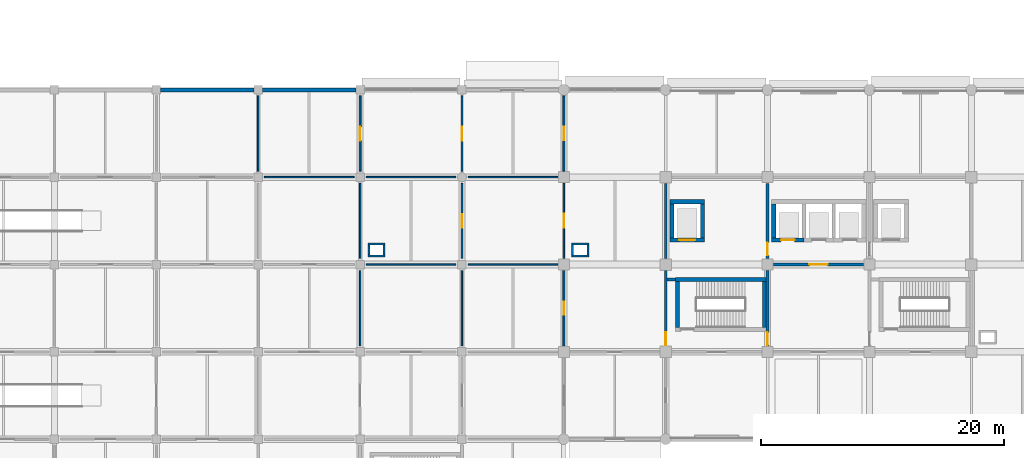
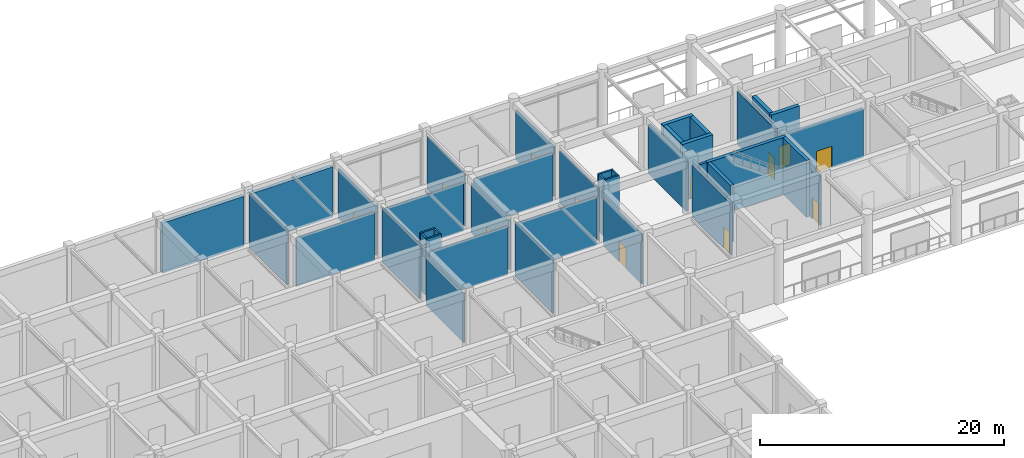
# One storey, part 20 of 39: 40 walls, 12 doors, 12 openings.
"""IFC4 building model written with IfcOpenShell, lengths in metres."""

from ifc_helpers import new_model, si_unit, derived_unit, direction, frame, frame_2d, origin, place, context, subcontext, project, spatial, rectangle, extrude, material, layer, layer_set, type_object, element, fill, save


model = new_model("IFC4")

# Units and contexts
model_context = context("Model", 3, precision=1e-05, world=origin(), true_north=direction((0.0, 1.0)))
body_context = subcontext(model_context, "Body", "Model", "MODEL_VIEW")
ifc_project = project(units=[si_unit("LENGTHUNIT", "METRE"), si_unit("AREAUNIT", "SQUARE_METRE"), si_unit("VOLUMEUNIT", "CUBIC_METRE"), si_unit("PLANEANGLEUNIT", "RADIAN"), si_unit("MASSUNIT", "GRAM", prefix="KILO"), derived_unit("THERMALTRANSMITTANCEUNIT", [(si_unit("MASSUNIT", "GRAM", prefix="KILO"), 1), (si_unit("TIMEUNIT", "SECOND"), -3), (si_unit("THERMODYNAMICTEMPERATUREUNIT", "KELVIN"), -1)])], contexts=[model_context])

# Site, building, storey
site_placement = place(None, origin())
site = spatial("IfcSite", under=ifc_project, at=site_placement, CompositionType="ELEMENT")
building_placement = place(site_placement, origin())
building = spatial("IfcBuilding", under=site, at=building_placement, Name="Veldstrom Oceanarium and Marine Research Institute", CompositionType="ELEMENT")
storey_placement = place(building_placement, origin())
storey = spatial("IfcBuildingStorey", under=building, at=storey_placement, Name="L00", CompositionType="ELEMENT", Elevation=0.0)

# Walls
ifc_material_1 = material(Name="Masonry Cavity Wall", Category="masonry")
ifc_layer_1 = layer(ifc_material_1, 0.340087890625)
ifc_layer_set_1 = layer_set([ifc_layer_1], Name="ARC-WAL-EW4")
wall_type_1 = type_object("IfcWallType", Name="ARC-WAL-EW4", PredefinedType="SOLIDWALL", material=ifc_layer_set_1)
for number, where, z_axis, x_axis, name in (
    (1, (33.949951171875, 72.0, 0.0), (0.0, 0.0, 1.0), (1.0, 0.0, 0.0), "Exterior Facade Wall EW4 L00-020"),
    (2, (42.35009765625, 72.0, 0.0), (0.0, 0.0, 1.0), (1.0, 0.0, 0.0), "Exterior Facade Wall EW4 L00-022"),
):
    element("IfcWall", number, at=place(storey_placement, frame(where, z_axis=z_axis, x_axis=x_axis)), inside=storey, type_object=wall_type_1, Name=name, PredefinedType="SOLIDWALL", context=body_context, shape_type="SweptSolid", body=[
        extrude(rectangle(XDim=7.699951171875, YDim=0.340087890625, at=frame_2d((3.85009765625, 0.0))), origin(), (0.0, 0.0, 1.0), 5.02001953125),
    ])

# Wall, opening, door
ifc_material_2 = material(Name="Masonry Fire Compartment Wall", Category="masonry")
ifc_layer_2 = layer(ifc_material_2, 0.22998046875)
ifc_layer_set_2 = layer_set([ifc_layer_2], Name="ARC-WAL-PT1")
wall_type_2 = type_object("IfcWallType", Name="ARC-WAL-PT1", PredefinedType="PARTITIONING", material=ifc_layer_set_2)
wall_1_placement = place(storey_placement, frame((75.60009765625, 50.89990234375, 0.0), z_axis=(0.0, 0.0, 1.0), x_axis=(0.0, 1.0, 0.0)))
wall_1 = element("IfcWall", 3, at=wall_1_placement, inside=storey, type_object=wall_type_2, Name="Interior Partition PT1 L00-0700", PredefinedType="PARTITIONING", context=body_context, shape_type="SweptSolid", body=[
    extrude(rectangle(XDim=6.2001953125, YDim=0.22998046875, at=frame_2d((3.10009765625, 0.0))), origin(), (0.0, 0.0, 1.0), 5.169921875),
])
opening_1_placement = place(wall_1_placement, frame((0.050048828125, 0.0, 0.0)))
opening_1 = element("IfcOpeningElement", 4, at=opening_1_placement, cuts=wall_1, Name="Opening D-L00-407", PredefinedType="OPENING", context=body_context, shape_type="SweptSolid", body=[
    extrude(rectangle(XDim=1.050048828125, YDim=2.14990234375, at=frame_2d((0.52490234375, 1.074951171875))), frame((0.0, 0.125, 0.0), z_axis=(0.0, -1.0, 0.0), x_axis=(1.0, 0.0, 0.0)), (0.0, 0.0, 1.0), 0.25),
])
ifc_material_3 = material(Name="Painted Steel Fire Door", Category="steel")
door_type_1 = type_object("IfcDoorType", Name="ARC-DOR-SD1", OperationType="SINGLE_SWING_LEFT", PredefinedType="DOOR", material=ifc_material_3)
door_1_placement = place(opening_1_placement, origin())
door_1 = element("IfcDoor", 5, at=door_1_placement, inside=storey, type_object=door_type_1, Name="Interior Door D-L00-407", OperationType="SINGLE_SWING_LEFT", OverallHeight=2.14990234375, OverallWidth=1.050048828125, PredefinedType="DOOR", context=body_context, shape_type="SweptSolid", body=[
    extrude(rectangle(XDim=1.050048828125, YDim=2.14990234375, at=frame_2d((0.52490234375, 1.074951171875))), frame((0.0, 0.02490234375, 0.0), z_axis=(0.0, -1.0, 0.0), x_axis=(1.0, 0.0, 0.0)), (0.0, 0.0, 1.0), 0.050048828125),
])
fill(opening_1, door_1)

# Wall
wall_2_placement = place(storey_placement, frame((75.60009765625, 58.10009765625, 0.0), z_axis=(0.0, 0.0, 1.0), x_axis=(0.0, 1.0, 0.0)))
element("IfcWall", 6, at=wall_2_placement, inside=storey, type_object=wall_type_2, Name="Interior Partition PT1 L00-0701", PredefinedType="PARTITIONING", context=body_context, shape_type="SweptSolid", body=[
    extrude(rectangle(XDim=6.199951171875, YDim=0.22998046875, at=frame_2d((3.10009765625, 0.0))), origin(), (0.0, 0.0, 1.0), 4.919921875),
])

# Wall, opening, door
wall_3_placement = place(storey_placement, frame((84.0, 50.89990234375, 0.0), z_axis=(0.0, 0.0, 1.0), x_axis=(0.0, 1.0, 0.0)))
wall_3 = element("IfcWall", 7, at=wall_3_placement, inside=storey, type_object=wall_type_2, Name="Interior Partition PT1 L00-0703", PredefinedType="PARTITIONING", context=body_context, shape_type="SweptSolid", body=[
    extrude(rectangle(XDim=6.2001953125, YDim=0.22998046875, at=frame_2d((3.10009765625, 0.0))), origin(), (0.0, 0.0, 1.0), 4.919921875),
])
opening_2_placement = place(wall_3_placement, frame((0.050048828125, 0.0, 0.0)))
opening_2 = element("IfcOpeningElement", 8, at=opening_2_placement, cuts=wall_3, Name="Opening D-L00-409", PredefinedType="OPENING", context=body_context, shape_type="SweptSolid", body=[
    extrude(rectangle(XDim=1.050048828125, YDim=2.14990234375, at=frame_2d((0.52490234375, 1.074951171875))), frame((0.0, 0.125, 0.0), z_axis=(0.0, -1.0, 0.0), x_axis=(1.0, 0.0, 0.0)), (0.0, 0.0, 1.0), 0.25),
])
door_2_placement = place(opening_2_placement, frame((1.050048828125, 0.0, 0.0), z_axis=(0.0, 0.0, 1.0), x_axis=(-1.0, 0.0, 0.0)))
door_2 = element("IfcDoor", 9, at=door_2_placement, inside=storey, type_object=door_type_1, Name="Interior Door D-L00-409", OperationType="SINGLE_SWING_RIGHT", OverallHeight=2.14990234375, OverallWidth=1.050048828125, PredefinedType="DOOR", context=body_context, shape_type="SweptSolid", body=[
    extrude(rectangle(XDim=1.050048828125, YDim=2.14990234375, at=frame_2d((0.52490234375, 1.074951171875))), frame((0.0, 0.02490234375, 0.0), z_axis=(0.0, -1.0, 0.0), x_axis=(1.0, 0.0, 0.0)), (0.0, 0.0, 1.0), 0.050048828125),
])
fill(opening_2, door_2)

# Wall
wall_4_placement = place(storey_placement, frame((75.719970703125, 56.360107421875, 0.0), z_axis=(0.0, 0.0, 1.0), x_axis=(1.0, 0.0, 0.0)))
element("IfcWall", 10, at=wall_4_placement, inside=storey, type_object=wall_type_2, Name="Interior Partition PT1 L00-0704", PredefinedType="PARTITIONING", context=body_context, shape_type="SweptSolid", body=[
    extrude(rectangle(XDim=0.679931640625, YDim=0.22998046875, at=frame_2d((0.33984375, 0.0))), origin(), (0.0, 0.0, 1.0), 5.675048828125),
])

# Wall, opening, door
wall_5_placement = place(storey_placement, frame((84.0, 58.10009765625, 0.0), z_axis=(0.0, 0.0, 1.0), x_axis=(0.0, 1.0, 0.0)))
wall_5 = element("IfcWall", 11, at=wall_5_placement, inside=storey, type_object=wall_type_2, Name="Interior Partition PT1 L00-0705", PredefinedType="PARTITIONING", context=body_context, shape_type="SweptSolid", body=[
    extrude(rectangle(XDim=6.199951171875, YDim=0.22998046875, at=frame_2d((3.10009765625, 0.0))), origin(), (0.0, 0.0, 1.0), 5.27001953125),
])
opening_3_placement = place(wall_5_placement, frame((0.25, 0.0, 0.0)))
opening_3 = element("IfcOpeningElement", 12, at=opening_3_placement, cuts=wall_5, Name="Opening D-L00-410", PredefinedType="OPENING", context=body_context, shape_type="SweptSolid", body=[
    extrude(rectangle(XDim=1.050048828125, YDim=2.14990234375, at=frame_2d((0.52490234375, 1.074951171875))), frame((0.0, 0.125, 0.0), z_axis=(0.0, -1.0, 0.0), x_axis=(1.0, 0.0, 0.0)), (0.0, 0.0, 1.0), 0.25),
])
door_3_placement = place(opening_3_placement, frame((1.050048828125, 0.0, 0.0), z_axis=(0.0, 0.0, 1.0), x_axis=(-1.0, 0.0, 0.0)))
door_3 = element("IfcDoor", 13, at=door_3_placement, inside=storey, type_object=door_type_1, Name="Interior Door D-L00-410", OperationType="SINGLE_SWING_RIGHT", OverallHeight=2.14990234375, OverallWidth=1.050048828125, PredefinedType="DOOR", context=body_context, shape_type="SweptSolid", body=[
    extrude(rectangle(XDim=1.050048828125, YDim=2.14990234375, at=frame_2d((0.52490234375, 1.074951171875))), frame((0.0, 0.02490234375, 0.0), z_axis=(0.0, -1.0, 0.0), x_axis=(1.0, 0.0, 0.0)), (0.0, 0.0, 1.0), 0.050048828125),
])
fill(opening_3, door_3)

wall_6_placement = place(storey_placement, frame((84.5, 57.60009765625, 0.0), z_axis=(0.0, 0.0, 1.0), x_axis=(1.0, 0.0, 0.0)))
wall_6 = element("IfcWall", 14, at=wall_6_placement, inside=storey, type_object=wall_type_2, Name="Interior Partition PT1 L00-0709", PredefinedType="PARTITIONING", context=body_context, shape_type="SweptSolid", body=[
    extrude(rectangle(XDim=7.39990234375, YDim=0.22998046875, at=frame_2d((3.699951171875, 0.0))), origin(), (0.0, 0.0, 1.0), 4.8701171875),
])
opening_4_placement = place(wall_6_placement, frame((2.949951171875, 0.0, 0.0)))
opening_4 = element("IfcOpeningElement", 15, at=opening_4_placement, cuts=wall_6, Name="Opening D-L00-413", PredefinedType="OPENING", context=body_context, shape_type="SweptSolid", body=[
    extrude(rectangle(XDim=1.5, YDim=2.14990234375, at=frame_2d((0.75, 1.074951171875))), frame((0.0, 0.125, 0.0), z_axis=(0.0, -1.0, 0.0), x_axis=(1.0, 0.0, 0.0)), (0.0, 0.0, 1.0), 0.25),
])
ifc_material_4 = material(Name="Painted Steel Lobby Fire Door", Category="steel")
door_type_2 = type_object("IfcDoorType", Name="ARC-DOR-SD2", OperationType="DOUBLE_DOOR_SINGLE_SWING", PredefinedType="DOOR", material=ifc_material_4)
door_4_placement = place(opening_4_placement, frame((1.5, 0.0, 0.0), z_axis=(0.0, 0.0, 1.0), x_axis=(-1.0, 0.0, 0.0)))
door_4 = element("IfcDoor", 16, at=door_4_placement, inside=storey, type_object=door_type_2, Name="Interior Door D-L00-413", OperationType="DOUBLE_DOOR_SINGLE_SWING", OverallHeight=2.14990234375, OverallWidth=1.5, PredefinedType="DOOR", context=body_context, shape_type="SweptSolid", body=[
    extrude(rectangle(XDim=1.5, YDim=2.14990234375, at=frame_2d((0.75, 1.074951171875))), frame((0.0, 0.02490234375, 0.0), z_axis=(0.0, -1.0, 0.0), x_axis=(1.0, 0.0, 0.0)), (0.0, 0.0, 1.0), 0.050048828125),
])
fill(opening_4, door_4)

ifc_material_5 = material(Name="Drywall Corridor Partition", Category="gypsum")
ifc_layer_3 = layer(ifc_material_5, 0.155029296875)
ifc_layer_set_3 = layer_set([ifc_layer_3], Name="ARC-WAL-PT4")
wall_type_3 = type_object("IfcWallType", Name="ARC-WAL-PT4", PredefinedType="PARTITIONING", material=ifc_layer_set_3)
wall_7_placement = place(storey_placement, frame((50.39990234375, 65.300048828125, 0.0), z_axis=(0.0, 0.0, 1.0), x_axis=(0.0, 1.0, 0.0)))
wall_7 = element("IfcWall", 17, at=wall_7_placement, inside=storey, type_object=wall_type_3, Name="Interior Partition PT4 L00-0665", PredefinedType="PARTITIONING", context=body_context, shape_type="SweptSolid", body=[
    extrude(rectangle(XDim=6.199951171875, YDim=0.155029296875, at=frame_2d((3.10009765625, 0.0))), origin(), (0.0, 0.0, 1.0), 4.919921875),
])
opening_5_placement = place(wall_7_placement, frame((2.52490234375, 0.0, 0.0)))
opening_5 = element("IfcOpeningElement", 18, at=opening_5_placement, cuts=wall_7, Name="Opening D-L00-385", PredefinedType="OPENING", context=body_context, shape_type="SweptSolid", body=[
    extrude(rectangle(XDim=1.14990234375, YDim=2.10009765625, at=frame_2d((0.574951171875, 1.050048828125))), frame((0.0, 0.08740234375, 0.0), z_axis=(0.0, -1.0, 0.0), x_axis=(1.0, 0.0, 0.0)), (0.0, 0.0, 1.0), 0.175048828125),
])
ifc_material_6 = material(Name="Fellows Studio Door", Category="timber")
door_type_3 = type_object("IfcDoorType", Name="ARC-DOR-ID17", OperationType="SINGLE_SWING_LEFT", PredefinedType="DOOR", material=ifc_material_6)
door_5_placement = place(opening_5_placement, frame((1.14990234375, 0.0, 0.0), z_axis=(0.0, 0.0, 1.0), x_axis=(-1.0, 0.0, 0.0)))
door_5 = element("IfcDoor", 19, at=door_5_placement, inside=storey, type_object=door_type_3, Name="Interior Door D-L00-385", OperationType="SINGLE_SWING_RIGHT", OverallHeight=2.10009765625, OverallWidth=1.14990234375, PredefinedType="DOOR", context=body_context, shape_type="SweptSolid", body=[
    extrude(rectangle(XDim=1.14990234375, YDim=2.10009765625, at=frame_2d((0.574951171875, 1.050048828125))), frame((0.0, 0.02490234375, 0.0), z_axis=(0.0, -1.0, 0.0), x_axis=(1.0, 0.0, 0.0)), (0.0, 0.0, 1.0), 0.050048828125),
])
fill(opening_5, door_5)

wall_8_placement = place(storey_placement, frame((58.800048828125, 58.10009765625, 0.0), z_axis=(0.0, 0.0, 1.0), x_axis=(0.0, 1.0, 0.0)))
wall_8 = element("IfcWall", 20, at=wall_8_placement, inside=storey, type_object=wall_type_3, Name="Interior Partition PT4 L00-0682", PredefinedType="PARTITIONING", context=body_context, shape_type="SweptSolid", body=[
    extrude(rectangle(XDim=6.199951171875, YDim=0.155029296875, at=frame_2d((3.10009765625, 0.0))), origin(), (0.0, 0.0, 1.0), 4.919921875),
])
opening_6_placement = place(wall_8_placement, frame((2.550048828125, 0.0, 0.0)))
opening_6 = element("IfcOpeningElement", 21, at=opening_6_placement, cuts=wall_8, Name="Opening D-L00-394", PredefinedType="OPENING", context=body_context, shape_type="SweptSolid", body=[
    extrude(rectangle(XDim=1.10009765625, YDim=2.10009765625, at=frame_2d((0.550048828125, 1.050048828125))), frame((0.0, 0.08740234375, 0.0), z_axis=(0.0, -1.0, 0.0), x_axis=(1.0, 0.0, 0.0)), (0.0, 0.0, 1.0), 0.175048828125),
])
ifc_material_7 = material(Name="Research Office Door", Category="timber")
door_type_4 = type_object("IfcDoorType", Name="ARC-DOR-ID07", OperationType="SINGLE_SWING_LEFT", PredefinedType="DOOR", material=ifc_material_7)
door_6_placement = place(opening_6_placement, frame((1.10009765625, 0.0, 0.0), z_axis=(0.0, 0.0, 1.0), x_axis=(-1.0, 0.0, 0.0)))
door_6 = element("IfcDoor", 22, at=door_6_placement, inside=storey, type_object=door_type_4, Name="Interior Door D-L00-394", OperationType="SINGLE_SWING_RIGHT", OverallHeight=2.10009765625, OverallWidth=1.10009765625, PredefinedType="DOOR", context=body_context, shape_type="SweptSolid", body=[
    extrude(rectangle(XDim=1.10009765625, YDim=2.10009765625, at=frame_2d((0.550048828125, 1.050048828125))), frame((0.0, 0.02490234375, 0.0), z_axis=(0.0, -1.0, 0.0), x_axis=(1.0, 0.0, 0.0)), (0.0, 0.0, 1.0), 0.050048828125),
])
fill(opening_6, door_6)

wall_9_placement = place(storey_placement, frame((67.199951171875, 50.89990234375, 0.0), z_axis=(0.0, 0.0, 1.0), x_axis=(0.0, 1.0, 0.0)))
wall_9 = element("IfcWall", 23, at=wall_9_placement, inside=storey, type_object=wall_type_3, Name="Interior Partition PT4 L00-0693", PredefinedType="PARTITIONING", context=body_context, shape_type="SweptSolid", body=[
    extrude(rectangle(XDim=6.2001953125, YDim=0.155029296875, at=frame_2d((3.10009765625, 0.0))), origin(), (0.0, 0.0, 1.0), 4.919921875),
])
opening_7_placement = place(wall_9_placement, frame((2.550048828125, 0.0, 0.0)))
opening_7 = element("IfcOpeningElement", 24, at=opening_7_placement, cuts=wall_9, Name="Opening D-L00-402", PredefinedType="OPENING", context=body_context, shape_type="SweptSolid", body=[
    extrude(rectangle(XDim=1.10009765625, YDim=2.10009765625, at=frame_2d((0.550048828125, 1.050048828125))), frame((0.0, 0.08740234375, 0.0), z_axis=(0.0, -1.0, 0.0), x_axis=(1.0, 0.0, 0.0)), (0.0, 0.0, 1.0), 0.175048828125),
])
door_7_placement = place(opening_7_placement, frame((1.10009765625, 0.0, 0.0), z_axis=(0.0, 0.0, 1.0), x_axis=(-1.0, 0.0, 0.0)))
door_7 = element("IfcDoor", 25, at=door_7_placement, inside=storey, type_object=door_type_4, Name="Interior Door D-L00-402", OperationType="SINGLE_SWING_RIGHT", OverallHeight=2.10009765625, OverallWidth=1.10009765625, PredefinedType="DOOR", context=body_context, shape_type="SweptSolid", body=[
    extrude(rectangle(XDim=1.10009765625, YDim=2.10009765625, at=frame_2d((0.550048828125, 1.050048828125))), frame((0.0, 0.02490234375, 0.0), z_axis=(0.0, -1.0, 0.0), x_axis=(1.0, 0.0, 0.0)), (0.0, 0.0, 1.0), 0.050048828125),
])
fill(opening_7, door_7)

wall_10_placement = place(storey_placement, frame((67.199951171875, 65.300048828125, 0.0), z_axis=(0.0, 0.0, 1.0), x_axis=(0.0, 1.0, 0.0)))
wall_10 = element("IfcWall", 26, at=wall_10_placement, inside=storey, type_object=wall_type_3, Name="Interior Partition PT4 L00-0697", PredefinedType="PARTITIONING", context=body_context, shape_type="SweptSolid", body=[
    extrude(rectangle(XDim=6.199951171875, YDim=0.155029296875, at=frame_2d((3.10009765625, 0.0))), origin(), (0.0, 0.0, 1.0), 4.919921875),
])
opening_8_placement = place(wall_10_placement, frame((2.550048828125, 0.0, 0.0)))
opening_8 = element("IfcOpeningElement", 27, at=opening_8_placement, cuts=wall_10, Name="Opening D-L00-404", PredefinedType="OPENING", context=body_context, shape_type="SweptSolid", body=[
    extrude(rectangle(XDim=1.10009765625, YDim=2.10009765625, at=frame_2d((0.550048828125, 1.050048828125))), frame((0.0, 0.08740234375, 0.0), z_axis=(0.0, -1.0, 0.0), x_axis=(1.0, 0.0, 0.0)), (0.0, 0.0, 1.0), 0.175048828125),
])
door_8_placement = place(opening_8_placement, origin())
door_8 = element("IfcDoor", 28, at=door_8_placement, inside=storey, type_object=door_type_4, Name="Interior Door D-L00-404", OperationType="SINGLE_SWING_LEFT", OverallHeight=2.10009765625, OverallWidth=1.10009765625, PredefinedType="DOOR", context=body_context, shape_type="SweptSolid", body=[
    extrude(rectangle(XDim=1.10009765625, YDim=2.10009765625, at=frame_2d((0.550048828125, 1.050048828125))), frame((0.0, 0.02490234375, 0.0), z_axis=(0.0, -1.0, 0.0), x_axis=(1.0, 0.0, 0.0)), (0.0, 0.0, 1.0), 0.050048828125),
])
fill(opening_8, door_8)

ifc_material_8 = material(Name="Moisture-Resistant Wet-Area Partition", Category="masonry")
ifc_layer_4 = layer(ifc_material_8, 0.139892578125)
ifc_layer_set_4 = layer_set([ifc_layer_4], Name="ARC-WAL-PT5")
wall_type_4 = type_object("IfcWallType", Name="ARC-WAL-PT5", PredefinedType="PARTITIONING", material=ifc_layer_set_4)
wall_11_placement = place(storey_placement, frame((58.800048828125, 65.300048828125, 0.0), z_axis=(0.0, 0.0, 1.0), x_axis=(0.0, 1.0, 0.0)))
wall_11 = element("IfcWall", 29, at=wall_11_placement, inside=storey, type_object=wall_type_4, Name="Interior Partition PT5 L00-0684", PredefinedType="PARTITIONING", context=body_context, shape_type="SweptSolid", body=[
    extrude(rectangle(XDim=6.199951171875, YDim=0.139892578125, at=frame_2d((3.10009765625, 0.0))), origin(), (0.0, 0.0, 1.0), 5.169921875),
])
opening_9_placement = place(wall_11_placement, frame((2.52490234375, 0.0, 0.0)))
opening_9 = element("IfcOpeningElement", 30, at=opening_9_placement, cuts=wall_11, Name="Opening D-L00-395", PredefinedType="OPENING", context=body_context, shape_type="SweptSolid", body=[
    extrude(rectangle(XDim=1.14990234375, YDim=2.10009765625, at=frame_2d((0.574951171875, 1.050048828125))), frame((0.0, 0.079833984375, 0.0), z_axis=(0.0, -1.0, 0.0), x_axis=(1.0, 0.0, 0.0)), (0.0, 0.0, 1.0), 0.159912109375),
])
door_9_placement = place(opening_9_placement, origin())
door_9 = element("IfcDoor", 31, at=door_9_placement, inside=storey, type_object=door_type_3, Name="Interior Door D-L00-395", OperationType="SINGLE_SWING_RIGHT", OverallHeight=2.10009765625, OverallWidth=1.14990234375, PredefinedType="DOOR", context=body_context, shape_type="SweptSolid", body=[
    extrude(rectangle(XDim=1.14990234375, YDim=2.10009765625, at=frame_2d((0.574951171875, 1.050048828125))), frame((0.0, 0.02490234375, 0.0), z_axis=(0.0, -1.0, 0.0), x_axis=(1.0, 0.0, 0.0)), (0.0, 0.0, 1.0), 0.050048828125),
])
fill(opening_9, door_9)

wall_12_placement = place(storey_placement, frame((67.199951171875, 58.10009765625, 0.0), z_axis=(0.0, 0.0, 1.0), x_axis=(0.0, 1.0, 0.0)))
wall_12 = element("IfcWall", 32, at=wall_12_placement, inside=storey, type_object=wall_type_4, Name="Interior Partition PT5 L00-0695", PredefinedType="PARTITIONING", context=body_context, shape_type="SweptSolid", body=[
    extrude(rectangle(XDim=6.199951171875, YDim=0.139892578125, at=frame_2d((3.10009765625, 0.0))), origin(), (0.0, 0.0, 1.0), 5.169921875),
])
opening_10_placement = place(wall_12_placement, frame((2.52490234375, 0.0, 0.0)))
opening_10 = element("IfcOpeningElement", 33, at=opening_10_placement, cuts=wall_12, Name="Opening D-L00-403", PredefinedType="OPENING", context=body_context, shape_type="SweptSolid", body=[
    extrude(rectangle(XDim=1.14990234375, YDim=2.10009765625, at=frame_2d((0.574951171875, 1.050048828125))), frame((0.0, 0.079833984375, 0.0), z_axis=(0.0, -1.0, 0.0), x_axis=(1.0, 0.0, 0.0)), (0.0, 0.0, 1.0), 0.159912109375),
])
door_10_placement = place(opening_10_placement, frame((1.14990234375, 0.0, 0.0), z_axis=(0.0, 0.0, 1.0), x_axis=(-1.0, 0.0, 0.0)))
door_10 = element("IfcDoor", 34, at=door_10_placement, inside=storey, type_object=door_type_3, Name="Interior Door D-L00-403", OperationType="SINGLE_SWING_LEFT", OverallHeight=2.10009765625, OverallWidth=1.14990234375, PredefinedType="DOOR", context=body_context, shape_type="SweptSolid", body=[
    extrude(rectangle(XDim=1.14990234375, YDim=2.10009765625, at=frame_2d((0.574951171875, 1.050048828125))), frame((0.0, 0.02490234375, 0.0), z_axis=(0.0, -1.0, 0.0), x_axis=(1.0, 0.0, 0.0)), (0.0, 0.0, 1.0), 0.050048828125),
])
fill(opening_10, door_10)

# Walls
ifc_material_9 = material(Name="Lightweight Studio Partition", Category="gypsum")
ifc_layer_5 = layer(ifc_material_9, 0.1201171875)
ifc_layer_set_5 = layer_set([ifc_layer_5], Name="ARC-WAL-PT6")
wall_type_5 = type_object("IfcWallType", Name="ARC-WAL-PT6", PredefinedType="PARTITIONING", material=ifc_layer_set_5)
wall_13_placement = place(storey_placement, frame((42.0, 65.300048828125, 0.0), z_axis=(0.0, 0.0, 1.0), x_axis=(0.0, 1.0, 0.0)))
element("IfcWall", 35, at=wall_13_placement, inside=storey, type_object=wall_type_5, Name="Interior Partition PT6 L00-0646", PredefinedType="PARTITIONING", context=body_context, shape_type="SweptSolid", body=[
    extrude(rectangle(XDim=6.199951171875, YDim=0.1201171875, at=frame_2d((3.10009765625, 0.0))), origin(), (0.0, 0.0, 1.0), 5.3798828125),
])
wall_14_placement = place(storey_placement, frame((50.39990234375, 50.89990234375, 0.0), z_axis=(0.0, 0.0, 1.0), x_axis=(0.0, 1.0, 0.0)))
element("IfcWall", 36, at=wall_14_placement, inside=storey, type_object=wall_type_5, Name="Interior Partition PT6 L00-0661", PredefinedType="PARTITIONING", context=body_context, shape_type="SweptSolid", body=[
    extrude(rectangle(XDim=6.2001953125, YDim=0.1201171875, at=frame_2d((3.10009765625, 0.0))), origin(), (0.0, 0.0, 1.0), 4.919921875),
])
wall_15_placement = place(storey_placement, frame((50.39990234375, 58.10009765625, 0.0), z_axis=(0.0, 0.0, 1.0), x_axis=(0.0, 1.0, 0.0)))
element("IfcWall", 37, at=wall_15_placement, inside=storey, type_object=wall_type_5, Name="Interior Partition PT6 L00-0663", PredefinedType="PARTITIONING", context=body_context, shape_type="SweptSolid", body=[
    extrude(rectangle(XDim=6.199951171875, YDim=0.1201171875, at=frame_2d((3.10009765625, 0.0))), origin(), (0.0, 0.0, 1.0), 5.3798828125),
])
wall_16_placement = place(storey_placement, frame((42.5, 64.800048828125, 0.0), z_axis=(0.0, 0.0, 1.0), x_axis=(1.0, 0.0, 0.0)))
element("IfcWall", 38, at=wall_16_placement, inside=storey, type_object=wall_type_5, Name="Interior Partition PT6 L00-0664", PredefinedType="PARTITIONING", context=body_context, shape_type="SweptSolid", body=[
    extrude(rectangle(XDim=7.39990234375, YDim=0.1201171875, at=frame_2d((3.699951171875, 0.0))), origin(), (0.0, 0.0, 1.0), 4.8701171875),
])
wall_17_placement = place(storey_placement, frame((58.800048828125, 50.89990234375, 0.0), z_axis=(0.0, 0.0, 1.0), x_axis=(0.0, 1.0, 0.0)))
element("IfcWall", 39, at=wall_17_placement, inside=storey, type_object=wall_type_5, Name="Interior Partition PT6 L00-0680", PredefinedType="PARTITIONING", context=body_context, shape_type="SweptSolid", body=[
    extrude(rectangle(XDim=6.2001953125, YDim=0.1201171875, at=frame_2d((3.10009765625, 0.0))), origin(), (0.0, 0.0, 1.0), 5.3798828125),
])
for number, where, z_axis, x_axis, name in (
    (40, (50.89990234375, 57.60009765625, 0.0), (0.0, 0.0, 1.0), (1.0, 0.0, 0.0), "Interior Partition PT6 L00-0681"),
    (41, (50.89990234375, 64.800048828125, 0.0), (0.0, 0.0, 1.0), (1.0, 0.0, 0.0), "Interior Partition PT6 L00-0683"),
):
    element("IfcWall", number, at=place(storey_placement, frame(where, z_axis=z_axis, x_axis=x_axis)), inside=storey, type_object=wall_type_5, Name=name, PredefinedType="PARTITIONING", context=body_context, shape_type="SweptSolid", body=[
        extrude(rectangle(XDim=7.400146484375, YDim=0.1201171875, at=frame_2d((3.7001953125, 0.0))), origin(), (0.0, 0.0, 1.0), 4.8701171875),
    ])
for number, where, z_axis, x_axis, name in (
    (42, (59.300048828125, 57.60009765625, 0.0), (0.0, 0.0, 1.0), (1.0, 0.0, 0.0), "Interior Partition PT6 L00-0694"),
    (43, (59.300048828125, 64.800048828125, 0.0), (0.0, 0.0, 1.0), (1.0, 0.0, 0.0), "Interior Partition PT6 L00-0696"),
):
    element("IfcWall", number, at=place(storey_placement, frame(where, z_axis=z_axis, x_axis=x_axis)), inside=storey, type_object=wall_type_5, Name=name, PredefinedType="PARTITIONING", context=body_context, shape_type="SweptSolid", body=[
        extrude(rectangle(XDim=7.39990234375, YDim=0.1201171875, at=frame_2d((3.699951171875, 0.0))), origin(), (0.0, 0.0, 1.0), 4.8701171875),
    ])
ifc_material_10 = material(Name="Service Riser Fire Shaft Wall", Category="masonry")
ifc_layer_6 = layer(ifc_material_10, 0.1650390625)
ifc_layer_set_6 = layer_set([ifc_layer_6], Name="ARC-WAL-PT9")
wall_type_6 = type_object("IfcWallType", Name="ARC-WAL-PT9", PredefinedType="PARTITIONING", material=ifc_layer_set_6)
for number, where, z_axis, x_axis, name in (
    (44, (51.034912109375, 58.3173828125, 0.0), (0.0, 0.0, 1.0), (1.0, 0.0, 0.0), "Service Riser Fire Shaft Wall L00-WN-S"),
    (45, (51.034912109375, 59.282470703125, 0.0), (0.0, 0.0, 1.0), (1.0, 0.0, 0.0), "Service Riser Fire Shaft Wall L00-WN-N"),
):
    element("IfcWall", number, at=place(storey_placement, frame(where, z_axis=z_axis, x_axis=x_axis)), inside=storey, type_object=wall_type_6, Name=name, PredefinedType="PARTITIONING", context=body_context, shape_type="SweptSolid", body=[
        extrude(rectangle(XDim=1.43017578125, YDim=0.1650390625, at=frame_2d((0.715087890625, 0.0))), origin(), (0.0, 0.0, 1.0), 5.675048828125),
    ])
for number, where, z_axis, x_axis, name in (
    (46, (51.117431640625, 58.39990234375, 0.0), (0.0, 0.0, 1.0), (0.0, 1.0, 0.0), "Service Riser Fire Shaft Wall L00-WN-W"),
    (47, (52.382568359375, 58.39990234375, 0.0), (0.0, 0.0, 1.0), (0.0, 1.0, 0.0), "Service Riser Fire Shaft Wall L00-WN-E"),
):
    element("IfcWall", number, at=place(storey_placement, frame(where, z_axis=z_axis, x_axis=x_axis)), inside=storey, type_object=wall_type_6, Name=name, PredefinedType="PARTITIONING", context=body_context, shape_type="SweptSolid", body=[
        extrude(rectangle(XDim=0.800048828125, YDim=0.1650390625, at=frame_2d((0.39990234375, 0.0))), origin(), (0.0, 0.0, 1.0), 5.675048828125),
    ])
for number, where, z_axis, x_axis, name in (
    (48, (67.8349609375, 58.3173828125, 0.0), (0.0, 0.0, 1.0), (1.0, 0.0, 0.0), "Service Riser Fire Shaft Wall L00-CW-S"),
    (49, (67.8349609375, 59.282470703125, 0.0), (0.0, 0.0, 1.0), (1.0, 0.0, 0.0), "Service Riser Fire Shaft Wall L00-CW-N"),
):
    element("IfcWall", number, at=place(storey_placement, frame(where, z_axis=z_axis, x_axis=x_axis)), inside=storey, type_object=wall_type_6, Name=name, PredefinedType="PARTITIONING", context=body_context, shape_type="SweptSolid", body=[
        extrude(rectangle(XDim=1.429931640625, YDim=0.1650390625, at=frame_2d((0.71484375, 0.0))), origin(), (0.0, 0.0, 1.0), 5.675048828125),
    ])
for number, where, z_axis, x_axis, name in (
    (50, (67.91748046875, 58.39990234375, 0.0), (0.0, 0.0, 1.0), (0.0, 1.0, 0.0), "Service Riser Fire Shaft Wall L00-CW-W"),
    (51, (69.1826171875, 58.39990234375, 0.0), (0.0, 0.0, 1.0), (0.0, 1.0, 0.0), "Service Riser Fire Shaft Wall L00-CW-E"),
):
    element("IfcWall", number, at=place(storey_placement, frame(where, z_axis=z_axis, x_axis=x_axis)), inside=storey, type_object=wall_type_6, Name=name, PredefinedType="PARTITIONING", context=body_context, shape_type="SweptSolid", body=[
        extrude(rectangle(XDim=0.800048828125, YDim=0.1650390625, at=frame_2d((0.39990234375, 0.0))), origin(), (0.0, 0.0, 1.0), 5.675048828125),
    ])
ifc_material_11 = material(Name="Concrete C40/50", Category="concrete")
ifc_layer_7 = layer(ifc_material_11, 0.360107421875)
ifc_layer_set_7 = layer_set([ifc_layer_7], Name="STR-WAL-WC2")
wall_type_7 = type_object("IfcWallType", Name="STR-WAL-WC2", PredefinedType="SHEAR", material=ifc_layer_set_7)
wall_18_placement = place(storey_placement, frame((75.93994140625, 62.780029296875, 0.0), z_axis=(0.0, 0.0, 1.0), x_axis=(1.0, 0.0, 0.0)))
element("IfcWall", 52, at=wall_18_placement, inside=storey, type_object=wall_type_7, Name="Lift Shaft Shear Wall N L00 9/8", PredefinedType="SHEAR", context=body_context, shape_type="SweptSolid", body=[
    extrude(rectangle(XDim=2.8701171875, YDim=0.360107421875, at=frame_2d((1.43505859375, 0.0))), origin(), (0.0, 0.0, 1.0), 5.675048828125),
])

# Wall, opening, door
wall_19_placement = place(storey_placement, frame((75.93994140625, 59.6201171875, 0.0), z_axis=(0.0, 0.0, 1.0), x_axis=(1.0, 0.0, 0.0)))
wall_19 = element("IfcWall", 53, at=wall_19_placement, inside=storey, type_object=wall_type_7, Name="Lift Shaft Front Shear Wall LF1 L00", PredefinedType="SHEAR", context=body_context, shape_type="SweptSolid", body=[
    extrude(rectangle(XDim=2.8701171875, YDim=0.360107421875, at=frame_2d((1.43505859375, 0.0))), origin(), (0.0, 0.0, 1.0), 5.675048828125),
])
opening_11_placement = place(wall_19_placement, frame((0.760009765625, 0.0, 0.0)))
opening_11 = element("IfcOpeningElement", 54, at=opening_11_placement, cuts=wall_19, Name="Opening LD-LF1-L00", PredefinedType="OPENING", context=body_context, shape_type="SweptSolid", body=[
    extrude(rectangle(XDim=1.35009765625, YDim=2.199951171875, at=frame_2d((0.675048828125, 1.10009765625))), frame((0.0, 0.18994140625, 0.0), z_axis=(0.0, -1.0, 0.0), x_axis=(1.0, 0.0, 0.0)), (0.0, 0.0, 1.0), 0.380126953125),
])
ifc_material_12 = material(Name="Stainless Steel Lift Landing Door", Category="steel")
door_type_5 = type_object("IfcDoorType", Name="ARC-DOR-LD3", OperationType="DOUBLE_DOOR_SLIDING", PredefinedType="DOOR", material=ifc_material_12)
door_11_placement = place(opening_11_placement, origin())
door_11 = element("IfcDoor", 55, at=door_11_placement, inside=storey, type_object=door_type_5, Name="Lift Landing Door LD-LF1-L00", OperationType="DOUBLE_DOOR_SLIDING", OverallHeight=2.199951171875, OverallWidth=1.35009765625, PredefinedType="DOOR", context=body_context, shape_type="SweptSolid", body=[
    extrude(rectangle(XDim=1.35009765625, YDim=2.199951171875, at=frame_2d((0.675048828125, 1.10009765625))), frame((0.0, 0.02490234375, 0.0), z_axis=(0.0, -1.0, 0.0), x_axis=(1.0, 0.0, 0.0)), (0.0, 0.0, 1.0), 0.050048828125),
])
fill(opening_11, door_11)

# Walls
for number, where, z_axis, x_axis, name in (
    (56, (76.1201171875, 59.800048828125, 0.0), (0.0, 0.0, 1.0), (0.0, 1.0, 0.0), "Lift Shaft Shear Wall W L00 9/8"),
    (57, (78.6298828125, 59.800048828125, 0.0), (0.0, 0.0, 1.0), (0.0, 1.0, 0.0), "Lift Shaft Shear Wall E L00 9/8"),
):
    element("IfcWall", number, at=place(storey_placement, frame(where, z_axis=z_axis, x_axis=x_axis)), inside=storey, type_object=wall_type_7, Name=name, PredefinedType="SHEAR", context=body_context, shape_type="SweptSolid", body=[
        extrude(rectangle(XDim=2.800048828125, YDim=0.360107421875, at=frame_2d((1.39990234375, 0.0))), origin(), (0.0, 0.0, 1.0), 5.675048828125),
    ])

# Wall, opening, door
wall_20_placement = place(storey_placement, frame((84.340087890625, 59.6201171875, 0.0), z_axis=(0.0, 0.0, 1.0), x_axis=(1.0, 0.0, 0.0)))
wall_20 = element("IfcWall", 58, at=wall_20_placement, inside=storey, type_object=wall_type_7, Name="Lift Shaft Front Shear Wall LP1 L00", PredefinedType="SHEAR", context=body_context, shape_type="SweptSolid", body=[
    extrude(rectangle(XDim=2.659912109375, YDim=0.360107421875, at=frame_2d((1.330078125, 0.0))), origin(), (0.0, 0.0, 1.0), 5.675048828125),
])
opening_12_placement = place(wall_20_placement, frame((0.780029296875, 0.0, 0.0)))
opening_12 = element("IfcOpeningElement", 59, at=opening_12_placement, cuts=wall_20, Name="Opening LD-LP1-L00", PredefinedType="OPENING", context=body_context, shape_type="SweptSolid", body=[
    extrude(rectangle(XDim=1.10009765625, YDim=2.14990234375, at=frame_2d((0.550048828125, 1.074951171875))), frame((0.0, 0.18994140625, 0.0), z_axis=(0.0, -1.0, 0.0), x_axis=(1.0, 0.0, 0.0)), (0.0, 0.0, 1.0), 0.380126953125),
])
ifc_material_13 = material(Name="Stainless Steel Lift Landing Door", Category="steel")
door_type_6 = type_object("IfcDoorType", Name="ARC-DOR-LD1", OperationType="DOUBLE_DOOR_SLIDING", PredefinedType="DOOR", material=ifc_material_13)
door_12_placement = place(opening_12_placement, origin())
door_12 = element("IfcDoor", 60, at=door_12_placement, inside=storey, type_object=door_type_6, Name="Lift Landing Door LD-LP1-L00", OperationType="DOUBLE_DOOR_SLIDING", OverallHeight=2.14990234375, OverallWidth=1.10009765625, PredefinedType="DOOR", context=body_context, shape_type="SweptSolid", body=[
    extrude(rectangle(XDim=1.10009765625, YDim=2.14990234375, at=frame_2d((0.550048828125, 1.074951171875))), frame((0.0, 0.02490234375, 0.0), z_axis=(0.0, -1.0, 0.0), x_axis=(1.0, 0.0, 0.0)), (0.0, 0.0, 1.0), 0.050048828125),
])
fill(opening_12, door_12)

# Walls
wall_21_placement = place(storey_placement, frame((84.52001953125, 59.800048828125, 0.0), z_axis=(0.0, 0.0, 1.0), x_axis=(0.0, 1.0, 0.0)))
element("IfcWall", 61, at=wall_21_placement, inside=storey, type_object=wall_type_7, Name="Lift Shaft Shear Wall W L00 10/8", PredefinedType="SHEAR", context=body_context, shape_type="SweptSolid", body=[
    extrude(rectangle(XDim=2.800048828125, YDim=0.360107421875, at=frame_2d((1.39990234375, 0.0))), origin(), (0.0, 0.0, 1.0), 5.675048828125),
])
ifc_material_14 = material(Name="Concrete C40/50", Category="concrete")
ifc_layer_8 = layer(ifc_material_14, 0.320068359375)
ifc_layer_set_8 = layer_set([ifc_layer_8], Name="STR-WAL-WC3")
wall_type_8 = type_object("IfcWallType", Name="STR-WAL-WC3", PredefinedType="SHEAR", material=ifc_layer_set_8)
wall_22_placement = place(storey_placement, frame((76.39990234375, 56.360107421875, 0.0), z_axis=(0.0, 0.0, 1.0), x_axis=(1.0, 0.0, 0.0)))
element("IfcWall", 62, at=wall_22_placement, inside=storey, type_object=wall_type_8, Name="Stair Core Shear Wall SC1-L00-N", PredefinedType="SHEAR", context=body_context, shape_type="SweptSolid", body=[
    extrude(rectangle(XDim=7.47998046875, YDim=0.320068359375, at=frame_2d((3.739990234375, 0.0))), origin(), (0.0, 0.0, 1.0), 5.675048828125),
])
for number, where, z_axis, x_axis, name in (
    (63, (76.56005859375, 52.39990234375, 0.0), (0.0, 0.0, 1.0), (0.0, 1.0, 0.0), "Stair Core Shear Wall SC1-L00-W"),
    (64, (83.719970703125, 52.39990234375, 0.0), (0.0, 0.0, 1.0), (0.0, 1.0, 0.0), "Stair Core Shear Wall SC1-L00-E"),
):
    element("IfcWall", number, at=place(storey_placement, frame(where, z_axis=z_axis, x_axis=x_axis)), inside=storey, type_object=wall_type_8, Name=name, PredefinedType="SHEAR", context=body_context, shape_type="SweptSolid", body=[
        extrude(rectangle(XDim=3.800048828125, YDim=0.320068359375, at=frame_2d((1.89990234375, 0.0))), origin(), (0.0, 0.0, 1.0), 5.675048828125),
    ])

save(model, "model.ifc")
